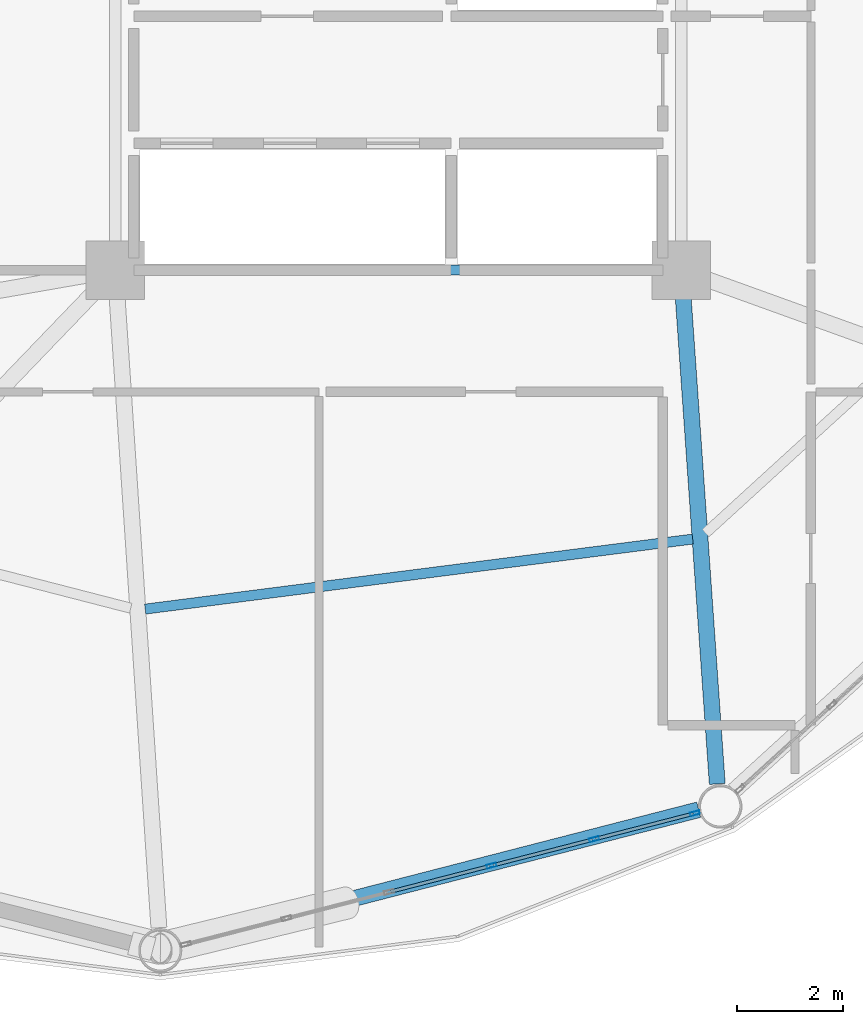
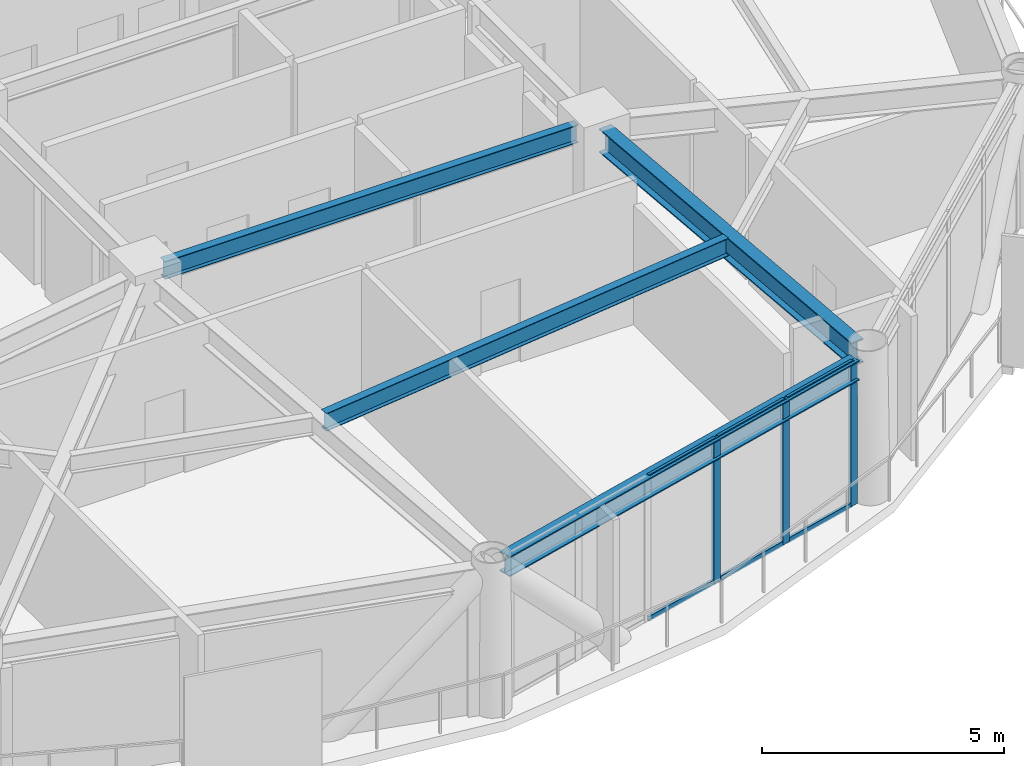
# One storey, part 7 of 24: 9 members, 4 beams, 1 element without a shape of its own.
"""IFC4 building model written with IfcOpenShell, lengths in metres."""

from ifc_helpers import new_model, si_unit, direction, frame, origin, origin_2d, place, context, subcontext, project, spatial, hollow_rectangle, i_section, extrude, material, layer, layer_set, material_profile, profile_set, type_object, element, aggregate, save


model = new_model("IFC4")

# Units and contexts
model_context = context("Model", 3, precision=1e-05, world=origin(), true_north=direction((0.0, 1.0)))
body_context = subcontext(model_context, "Body", "Model", "MODEL_VIEW")
ifc_project = project(units=[si_unit("LENGTHUNIT", "METRE"), si_unit("AREAUNIT", "SQUARE_METRE"), si_unit("VOLUMEUNIT", "CUBIC_METRE"), si_unit("PLANEANGLEUNIT", "RADIAN"), si_unit("MASSUNIT", "GRAM", prefix="KILO")], contexts=[model_context])

# Site, building, storey
site_placement = place(None, origin())
site = spatial("IfcSite", under=ifc_project, at=site_placement, CompositionType="ELEMENT")
building_placement = place(site_placement, origin())
building = spatial("IfcBuilding", under=site, at=building_placement, Name="Varnakorn Sky Granary", CompositionType="ELEMENT")
storey_placement = place(building_placement, frame((0.0, 0.0, 118.800048828125)))
storey = spatial("IfcBuildingStorey", under=building, at=storey_placement, Name="L29", CompositionType="ELEMENT", Elevation=118.800048828125)

# Beams
ifc_material_1 = material(Name="Steel S355JR", Category="steel")
ifc_material_profile_1 = material_profile(ifc_material_1, i_section(OverallWidth=0.300048828125, OverallDepth=0.60009765625, WebThickness=0.015380859375, FlangeThickness=0.030029296875, at=origin_2d()), Name="HE 600 B")
ifc_profile_set_1 = profile_set([ifc_material_profile_1], Name="Steel S355JR")
beam_type_1 = type_object("IfcBeamType", Name="BM-RAD-Z2", PredefinedType="BEAM", material=ifc_profile_set_1)
beam_1_placement = place(storey_placement, frame((8.37939453125, -7.01904296875, 3.33984375), z_axis=(0.069844515057, -0.997557889907, 0.0), x_axis=(0.997557889907, 0.069844515057, 0.0)))
element("IfcBeam", 1, at=beam_1_placement, inside=storey, type_object=beam_type_1, Name="Radial Floor Girder RG11 L29", PredefinedType="BEAM", context=body_context, shape_type="SweptSolid", body=[
    extrude(i_section(OverallWidth=0.300048828125, OverallDepth=0.60009765625, WebThickness=0.015380859375, FlangeThickness=0.030029296875, at=origin_2d()), origin(), (0.0, 0.0, 1.0), 9.3154296875),
])
ifc_material_profile_2 = material_profile(ifc_material_1, i_section(OverallWidth=0.18994140625, OverallDepth=0.449951171875, WebThickness=0.009521484375, FlangeThickness=0.0146484375, at=origin_2d()), Name="IPE 450")
ifc_profile_set_2 = profile_set([ifc_material_profile_2], Name="Steel S355JR")
beam_type_2 = type_object("IfcBeamType", Name="BM-SEC-Z2", PredefinedType="BEAM", material=ifc_profile_set_2)
beam_2_placement = place(storey_placement, frame((-1.78515625, -13.007080078125, 3.4150390625), z_axis=(0.991918924536, 0.126873350813, 0.0), x_axis=(-0.126873350813, 0.991918924536, 0.0)))
element("IfcBeam", 2, at=beam_2_placement, inside=storey, type_object=beam_type_2, Name="Secondary Floor Chord Beam MSB10 L29", PredefinedType="BEAM", context=body_context, shape_type="SweptSolid", body=[
    extrude(i_section(OverallWidth=0.18994140625, OverallDepth=0.449951171875, WebThickness=0.009521484375, FlangeThickness=0.0146484375, at=origin_2d()), origin(), (0.0, 0.0, 1.0), 10.435302734375),
])
beam_3_placement = place(storey_placement, frame((-1.929931640625, -6.60009765625, 3.4150390625), z_axis=(1.0, 0.0, 0.0), x_axis=(0.0, 1.0, 0.0)))
element("IfcBeam", 3, at=beam_3_placement, inside=storey, type_object=beam_type_2, Name="Core Spine Framing Beam 6 L29", PredefinedType="BEAM", context=body_context, shape_type="SweptSolid", body=[
    extrude(i_section(OverallWidth=0.18994140625, OverallDepth=0.449951171875, WebThickness=0.009521484375, FlangeThickness=0.0146484375, at=origin_2d()), origin(), (0.0, 0.0, 1.0), 9.85986328125),
])
ifc_material_profile_3 = material_profile(ifc_material_1, i_section(OverallWidth=0.300048828125, OverallDepth=0.5, WebThickness=0.014404296875, FlangeThickness=0.028076171875, at=origin_2d()), Name="HE 500 B")
ifc_profile_set_3 = profile_set([ifc_material_profile_3], Name="Steel S355JR")
beam_type_3 = type_object("IfcBeamType", Name="BM-SPD-Z2", PredefinedType="SPANDREL", material=ifc_profile_set_3)
beam_4_placement = place(storey_placement, frame((-1.120849609375, -19.323486328125, 3.389892578125), z_axis=(0.968400922479, 0.249398583279, 0.0), x_axis=(-0.249398583279, 0.968400922479, 0.0)))
element("IfcBeam", 4, at=beam_4_placement, inside=storey, type_object=beam_type_3, Name="Perimeter Spandrel Ring Beam RB10 L29", PredefinedType="SPANDREL", context=body_context, shape_type="SweptSolid", body=[
    extrude(i_section(OverallWidth=0.300048828125, OverallDepth=0.5, WebThickness=0.014404296875, FlangeThickness=0.028076171875, at=origin_2d()), origin(), (0.0, 0.0, 1.0), 10.119140625),
])

# Curtain wall, members
ifc_material_2 = material(Name="Anodised Bronze Aluminium Alloy 6063-T6", Category="aluminium")
ifc_layer = layer(ifc_material_2, 0.179931640625, Name="Anodised Bronze Aluminium Alloy 6063-T6")
ifc_layer_set = layer_set([ifc_layer], Name="Anodised Bronze Aluminium Alloy 6063-T6")
curtain_wall_type = type_object("IfcCurtainWallType", Name="CW-FRM-2", PredefinedType="USERDEFINED", material=ifc_layer_set)
curtain_wall_placement = place(storey_placement, origin())
curtain_wall = element("IfcCurtainWall", 5, at=curtain_wall_placement, inside=storey, type_object=curtain_wall_type, Name="Unitised Curtain Wall CW4 CW-L29-B10", ObjectType="CURTAIN WALL", PredefinedType="USERDEFINED")
ifc_material_profile_4 = material_profile(ifc_material_2, hollow_rectangle(XDim=0.070068359375, YDim=0.18505859375, WallThickness=0.00390625, at=origin_2d()), Name="ALU MULL 70x185")
ifc_profile_set_4 = profile_set([ifc_material_profile_4], Name="Anodised Bronze Aluminium Alloy 6063-T6")
member_type_1 = type_object("IfcMemberType", Name="CW-FRM-2-MULL", PredefinedType="MULLION", material=ifc_profile_set_4)
member_1_placement = place(storey_placement, frame((8.605224609375, -16.86865234375, 0.0), z_axis=(0.0, 0.0, 1.0), x_axis=(0.249196159106, -0.968453031534, 0.0)))
member_1 = element("IfcMember", 6, at=member_1_placement, type_object=member_type_1, Name="CW4 mullion 1", PredefinedType="MULLION", context=body_context, shape_type="SweptSolid", body=[
    extrude(hollow_rectangle(XDim=0.070068359375, YDim=0.18505859375, WallThickness=0.00390625, at=origin_2d()), origin(), (0.0, 0.0, 1.0), 3.639892578125),
])
member_2_placement = place(storey_placement, frame((6.70166015625, -17.358642578125, 0.0), z_axis=(0.0, 0.0, 1.0), x_axis=(0.249196159106, -0.968453031534, 0.0)))
member_2 = element("IfcMember", 7, at=member_2_placement, type_object=member_type_1, Name="CW4 mullion 2", PredefinedType="MULLION", context=body_context, shape_type="SweptSolid", body=[
    extrude(hollow_rectangle(XDim=0.070068359375, YDim=0.18505859375, WallThickness=0.00390625, at=origin_2d()), origin(), (0.0, 0.0, 1.0), 3.639892578125),
])
member_3_placement = place(storey_placement, frame((4.76416015625, -17.857177734375, 0.0), z_axis=(0.0, 0.0, 1.0), x_axis=(0.249196159106, -0.968453031534, 0.0)))
member_3 = element("IfcMember", 8, at=member_3_placement, type_object=member_type_1, Name="CW4 mullion 3", PredefinedType="MULLION", context=body_context, shape_type="SweptSolid", body=[
    extrude(hollow_rectangle(XDim=0.070068359375, YDim=0.18505859375, WallThickness=0.00390625, at=origin_2d()), origin(), (0.0, 0.0, 1.0), 3.639892578125),
])
ifc_material_profile_5 = material_profile(ifc_material_2, hollow_rectangle(XDim=0.06494140625, YDim=0.1201171875, WallThickness=0.00341796875, at=origin_2d()), Name="ALU TRAN 65x120")
ifc_profile_set_5 = profile_set([ifc_material_profile_5], Name="Anodised Bronze Aluminium Alloy 6063-T6")
member_type_2 = type_object("IfcMemberType", Name="CW-FRM-2-TRAN", PredefinedType="USERDEFINED", material=ifc_profile_set_5)
member_4_placement = place(storey_placement, frame((8.5712890625, -16.87744140625, 0.032470703125), z_axis=(-0.968444984601, -0.249227429871, 0.0), x_axis=(0.249227429871, -0.968444984601, 0.0)))
member_4 = element("IfcMember", 9, at=member_4_placement, type_object=member_type_2, Name="CW4 transom 1.1", ObjectType="TRANSOM", PredefinedType="USERDEFINED", context=body_context, shape_type="SweptSolid", body=[
    extrude(hollow_rectangle(XDim=0.06494140625, YDim=0.1201171875, WallThickness=0.00341796875, at=origin_2d()), origin(), (0.0, 0.0, 1.0), 1.8955078125),
])
member_5_placement = place(storey_placement, frame((8.5712890625, -16.87744140625, 3.607421875), z_axis=(-0.968444984601, -0.249227429871, 0.0), x_axis=(0.249227429871, -0.968444984601, 0.0)))
member_5 = element("IfcMember", 10, at=member_5_placement, type_object=member_type_2, Name="CW4 transom 1.2", ObjectType="TRANSOM", PredefinedType="USERDEFINED", context=body_context, shape_type="SweptSolid", body=[
    extrude(hollow_rectangle(XDim=0.06494140625, YDim=0.1201171875, WallThickness=0.00341796875, at=origin_2d()), origin(), (0.0, 0.0, 1.0), 1.8955078125),
])
member_6_placement = place(storey_placement, frame((6.667724609375, -17.3671875, 0.032470703125), z_axis=(-0.968438006028, -0.249254545558, 0.0), x_axis=(0.249254545558, -0.968438006028, 0.0)))
member_6 = element("IfcMember", 11, at=member_6_placement, type_object=member_type_2, Name="CW4 transom 2.1", ObjectType="TRANSOM", PredefinedType="USERDEFINED", context=body_context, shape_type="SweptSolid", body=[
    extrude(hollow_rectangle(XDim=0.06494140625, YDim=0.1201171875, WallThickness=0.00341796875, at=origin_2d()), origin(), (0.0, 0.0, 1.0), 1.9306640625),
])
member_7_placement = place(storey_placement, frame((6.667724609375, -17.3671875, 3.607421875), z_axis=(-0.968438006028, -0.249254545558, 0.0), x_axis=(0.249254545558, -0.968438006028, 0.0)))
member_7 = element("IfcMember", 12, at=member_7_placement, type_object=member_type_2, Name="CW4 transom 2.2", ObjectType="TRANSOM", PredefinedType="USERDEFINED", context=body_context, shape_type="SweptSolid", body=[
    extrude(hollow_rectangle(XDim=0.06494140625, YDim=0.1201171875, WallThickness=0.00341796875, at=origin_2d()), origin(), (0.0, 0.0, 1.0), 1.9306640625),
])
member_8_placement = place(storey_placement, frame((4.730224609375, -17.86572265625, 0.032470703125), z_axis=(-0.968438006028, -0.249254545558, 0.0), x_axis=(0.249254545558, -0.968438006028, 0.0)))
member_8 = element("IfcMember", 13, at=member_8_placement, type_object=member_type_2, Name="CW4 transom 3.1", ObjectType="TRANSOM", PredefinedType="USERDEFINED", context=body_context, shape_type="SweptSolid", body=[
    extrude(hollow_rectangle(XDim=0.06494140625, YDim=0.1201171875, WallThickness=0.00341796875, at=origin_2d()), origin(), (0.0, 0.0, 1.0), 1.9306640625),
])
member_9_placement = place(storey_placement, frame((4.730224609375, -17.86572265625, 3.607421875), z_axis=(-0.968438006028, -0.249254545558, 0.0), x_axis=(0.249254545558, -0.968438006028, 0.0)))
member_9 = element("IfcMember", 14, at=member_9_placement, type_object=member_type_2, Name="CW4 transom 3.2", ObjectType="TRANSOM", PredefinedType="USERDEFINED", context=body_context, shape_type="SweptSolid", body=[
    extrude(hollow_rectangle(XDim=0.06494140625, YDim=0.1201171875, WallThickness=0.00341796875, at=origin_2d()), origin(), (0.0, 0.0, 1.0), 1.9306640625),
])
aggregate(curtain_wall, [member_1, member_2, member_3, member_4, member_5, member_6, member_7, member_8, member_9])

save(model, "model.ifc")
